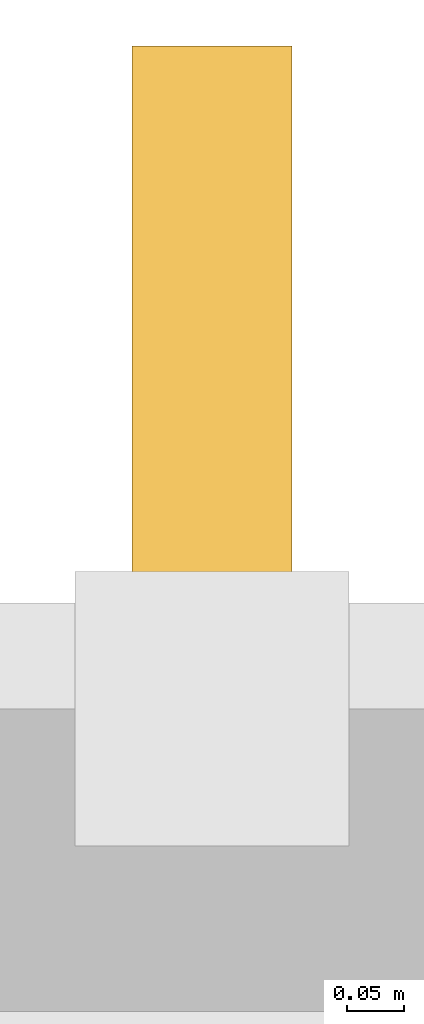
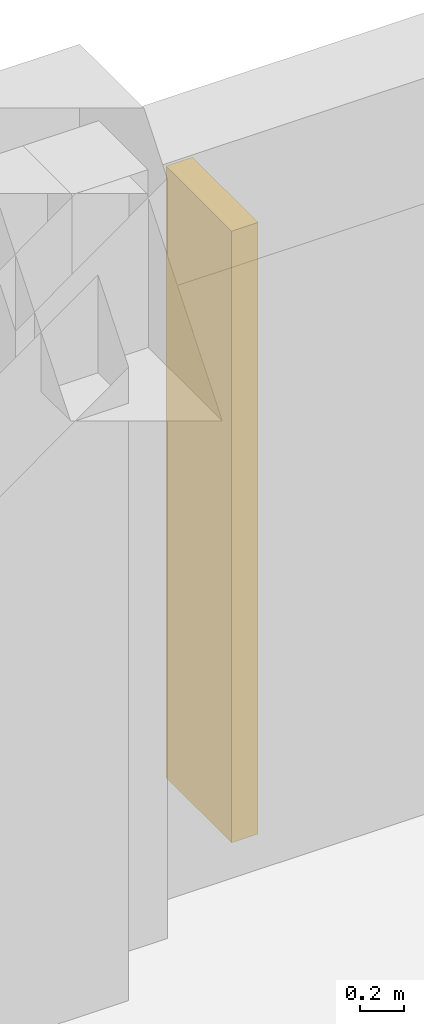
# One storey, part 47 of 50: 1 shading device.
"""IFC4 building model written with IfcOpenShell, lengths in metres."""

from ifc_helpers import new_model, si_unit, direction, frame, frame_2d, origin, place, context, subcontext, project, spatial, rectangle, extrude, material, layer, layer_set, type_object, element, save


model = new_model("IFC4")

# Units and contexts
model_context = context("Model", 3, precision=1e-05, world=origin(), true_north=direction((0.0, 1.0)))
body_context = subcontext(model_context, "Body", "Model", "MODEL_VIEW")
ifc_project = project(units=[si_unit("LENGTHUNIT", "METRE"), si_unit("AREAUNIT", "SQUARE_METRE"), si_unit("VOLUMEUNIT", "CUBIC_METRE"), si_unit("PLANEANGLEUNIT", "RADIAN"), si_unit("MASSUNIT", "GRAM", prefix="KILO")], contexts=[model_context])

# Site, building, storey
site_placement = place(None, origin())
site = spatial("IfcSite", under=ifc_project, at=site_placement, CompositionType="ELEMENT")
building_placement = place(site_placement, origin())
building = spatial("IfcBuilding", under=site, at=building_placement, Name="Zaverband Oceanarium and Marine Research Institute", CompositionType="ELEMENT")
storey_placement = place(building_placement, frame((0.0, 0.0, 4.5)))
storey = spatial("IfcBuildingStorey", under=building, at=storey_placement, Name="L01", CompositionType="ELEMENT", Elevation=4.5)

# Shading device
ifc_material = material(Name="Concrete C40/50 precast brise-soleil", Category="concrete")
ifc_layer = layer(ifc_material, 0.139892578125, Name="Concrete C40/50 precast brise-soleil")
ifc_layer_set = layer_set([ifc_layer], Name="Concrete C40/50 precast brise-soleil")
shading_device_type = type_object("IfcShadingDeviceType", Name="SHD-FIN-600", PredefinedType="JALOUSIE", material=ifc_layer_set)
shading_device_placement = place(storey_placement, frame((127.10498046875, 120.112548828125, 0.0), z_axis=(0.0, 0.0, 1.0), x_axis=(0.0, 1.0, 0.0)))
element("IfcShadingDevice", 1, at=shading_device_placement, inside=storey, type_object=shading_device_type, Name="600 mm vertical precast brise-soleil fin SHD-FIN-600", PredefinedType="JALOUSIE", context=body_context, shape_type="SweptSolid", body=[
    extrude(rectangle(XDim=0.599853515625, YDim=0.139892578125, at=frame_2d((0.2998046875, 0.0))), origin(), (0.0, 0.0, 1.0), 3.409912109375),
])

save(model, "model.ifc")
